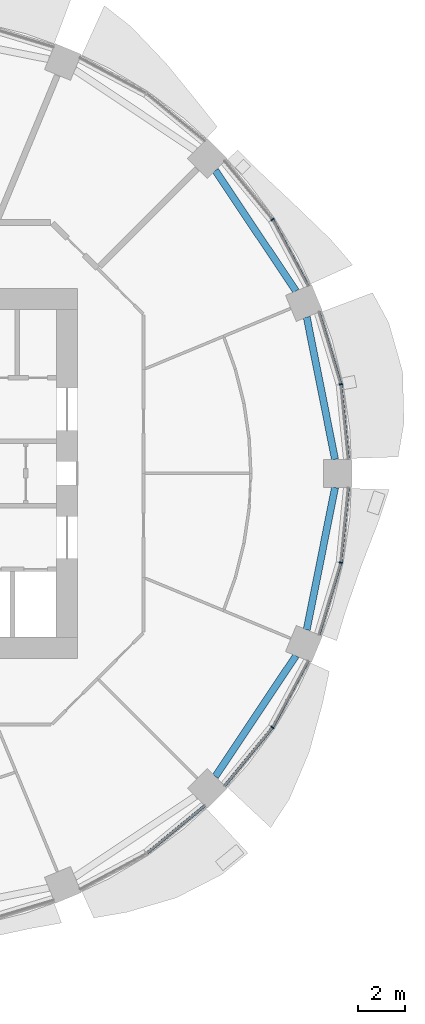
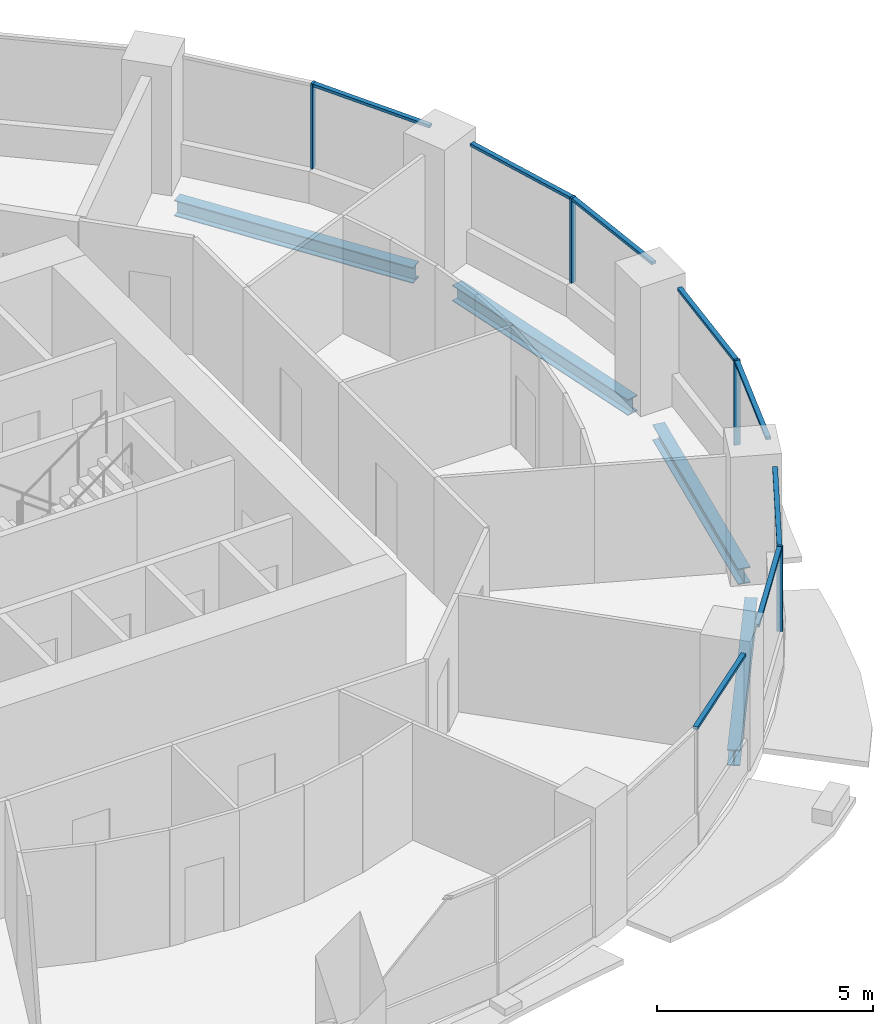
# One storey, part 5 of 15: 12 members, 4 beams, 5 elements without a shape of their own.
"""IFC4 building model written with IfcOpenShell, lengths in metres."""

from ifc_helpers import new_model, si_unit, direction, frame, origin, origin_2d, place, context, subcontext, project, spatial, rectangle, i_section, extrude, material, material_profile, profile_set, type_object, element, aggregate, save


model = new_model("IFC4")

# Units and contexts
model_context = context("Model", 3, precision=1e-05, world=origin(), true_north=direction((0.0, 1.0)))
body_context = subcontext(model_context, "Body", "Model", "MODEL_VIEW")
ifc_project = project(units=[si_unit("LENGTHUNIT", "METRE"), si_unit("AREAUNIT", "SQUARE_METRE"), si_unit("VOLUMEUNIT", "CUBIC_METRE"), si_unit("PLANEANGLEUNIT", "RADIAN"), si_unit("MASSUNIT", "GRAM", prefix="KILO")], contexts=[model_context])

# Site, building, storey
site_placement = place(None, origin())
site = spatial("IfcSite", under=ifc_project, at=site_placement, CompositionType="ELEMENT")
building_placement = place(site_placement, origin())
building = spatial("IfcBuilding", under=site, at=building_placement, Name="Polderwave Tower", CompositionType="ELEMENT")
storey_placement = place(building_placement, frame((0.0, 0.0, 59.050048828125)))
storey = spatial("IfcBuildingStorey", under=building, at=storey_placement, Name="L15", CompositionType="ELEMENT", Elevation=59.050048828125)

# Curtain wall, member
ifc_material_1 = material(Name="Aluminium 6063-T6 and glass", Category="aluminium")
curtain_wall_type = type_object("IfcCurtainWallType", Name="Growing floor ribbon glazing wall", PredefinedType="NOTDEFINED", material=ifc_material_1)
curtain_wall_1_placement = place(storey_placement, origin())
curtain_wall_1 = element("IfcCurtainWall", 1, at=curtain_wall_1_placement, inside=storey, type_object=curtain_wall_type, Name="CW2 L15 00", PredefinedType="NOTDEFINED")
ifc_material_2 = material(Name="Aluminium 6063-T6", Category="aluminium")
ifc_material_profile_1 = material_profile(ifc_material_2, rectangle(XDim=0.14990234375, YDim=0.06005859375, at=origin_2d()), Name="AL 60x150")
ifc_profile_set_1 = profile_set([ifc_material_profile_1], Name="Aluminium 6063-T6")
member_type_1 = type_object("IfcMemberType", Name="Growing floor ribbon glazing mullion 60x150", PredefinedType="MULLION", material=ifc_profile_set_1)
member_1_placement = place(storey_placement, frame((19.06591796875, 3.79296875, 0.89990234375), z_axis=(0.0, 0.0, 1.0), x_axis=(-0.980768933113, -0.195172487407, 0.0)))
member_1 = element("IfcMember", 2, at=member_1_placement, type_object=member_type_1, Name="CW2 mullion 1", PredefinedType="MULLION", context=body_context, shape_type="SweptSolid", body=[
    extrude(rectangle(XDim=0.14990234375, YDim=0.06005859375, at=origin_2d()), origin(), (0.0, 0.0, 1.0), 2.400146484375),
])

curtain_wall_2_placement = place(storey_placement, origin())
curtain_wall_2 = element("IfcCurtainWall", 3, at=curtain_wall_2_placement, inside=storey, type_object=curtain_wall_type, Name="CW2 L15 01", PredefinedType="NOTDEFINED")
member_2_placement = place(storey_placement, frame((16.1640625, 10.800048828125, 0.89990234375), z_axis=(0.0, 0.0, 1.0), x_axis=(-0.831498700752, -0.555526696611, 0.0)))
member_2 = element("IfcMember", 4, at=member_2_placement, type_object=member_type_1, Name="CW2 mullion 1", PredefinedType="MULLION", context=body_context, shape_type="SweptSolid", body=[
    extrude(rectangle(XDim=0.14990234375, YDim=0.06005859375, at=origin_2d()), origin(), (0.0, 0.0, 1.0), 2.400146484375),
])

curtain_wall_3_placement = place(storey_placement, origin())
curtain_wall_3 = element("IfcCurtainWall", 5, at=curtain_wall_3_placement, inside=storey, type_object=curtain_wall_type, Name="CW2 L15 14", PredefinedType="NOTDEFINED")
member_3_placement = place(storey_placement, frame((16.1640625, -10.800048828125, 0.89990234375), z_axis=(0.0, 0.0, 1.0), x_axis=(-0.831498700752, 0.555526696611, 0.0)))
member_3 = element("IfcMember", 6, at=member_3_placement, type_object=member_type_1, Name="CW2 mullion 1", PredefinedType="MULLION", context=body_context, shape_type="SweptSolid", body=[
    extrude(rectangle(XDim=0.14990234375, YDim=0.06005859375, at=origin_2d()), origin(), (0.0, 0.0, 1.0), 2.400146484375),
])

curtain_wall_4_placement = place(storey_placement, origin())
curtain_wall_4 = element("IfcCurtainWall", 7, at=curtain_wall_4_placement, inside=storey, type_object=curtain_wall_type, Name="CW2 L15 15", PredefinedType="NOTDEFINED")
member_4_placement = place(storey_placement, frame((19.06591796875, -3.79296875, 0.89990234375), z_axis=(0.0, 0.0, 1.0), x_axis=(-0.980768933113, 0.195172487407, 0.0)))
member_4 = element("IfcMember", 8, at=member_4_placement, type_object=member_type_1, Name="CW2 mullion 1", PredefinedType="MULLION", context=body_context, shape_type="SweptSolid", body=[
    extrude(rectangle(XDim=0.14990234375, YDim=0.06005859375, at=origin_2d()), origin(), (0.0, 0.0, 1.0), 2.400146484375),
])

# Member
ifc_material_profile_2 = material_profile(ifc_material_2, rectangle(XDim=0.1201171875, YDim=0.080078125, at=origin_2d()), Name="AL 80x120")
ifc_profile_set_2 = profile_set([ifc_material_profile_2], Name="Aluminium 6063-T6")
member_type_2 = type_object("IfcMemberType", Name="Growing floor ribbon glazing transom 80x120", PredefinedType="USERDEFINED", material=ifc_profile_set_2)
member_5_placement = place(storey_placement, frame((19.381103515625, 0.60009765625, 3.260009765625), z_axis=(-0.098241201585, 0.995162633096, 0.0), x_axis=(-0.995162633096, -0.098241201585, 0.0)))
member_5 = element("IfcMember", 9, at=member_5_placement, type_object=member_type_2, Name="CW2 transom 1", ObjectType="TRANSOM", PredefinedType="USERDEFINED", context=body_context, shape_type="SweptSolid", body=[
    extrude(rectangle(XDim=0.1201171875, YDim=0.080078125, at=origin_2d()), origin(), (0.0, 0.0, 1.0), 3.178466796875),
])

member_6_placement = place(storey_placement, frame((19.057373046875, 3.82177734375, 3.260009765625), z_axis=(-0.290314495574, 0.956931289937, 0.0), x_axis=(-0.956931289937, -0.290314495574, 0.0)))
member_6 = element("IfcMember", 10, at=member_6_placement, type_object=member_type_2, Name="CW2 transom 2", ObjectType="TRANSOM", PredefinedType="USERDEFINED", context=body_context, shape_type="SweptSolid", body=[
    extrude(rectangle(XDim=0.1201171875, YDim=0.080078125, at=origin_2d()), origin(), (0.0, 0.0, 1.0), 3.177001953125),
])

aggregate(curtain_wall_1, [member_1, member_5, member_6])

member_7_placement = place(storey_placement, frame((17.676025390625, 7.970947265625, 3.260009765625), z_axis=(-0.471417452258, 0.881910191406, 0.0), x_axis=(-0.881910191406, -0.471417452258, 0.0)))
member_7 = element("IfcMember", 11, at=member_7_placement, type_object=member_type_2, Name="CW2 transom 1", ObjectType="TRANSOM", PredefinedType="USERDEFINED", context=body_context, shape_type="SweptSolid", body=[
    extrude(rectangle(XDim=0.1201171875, YDim=0.080078125, at=origin_2d()), origin(), (0.0, 0.0, 1.0), 3.177734375),
])

aggregate(curtain_wall_2, [member_2, member_7])

# Curtain wall, member
curtain_wall_5_placement = place(storey_placement, origin())
curtain_wall_5 = element("IfcCurtainWall", 12, at=curtain_wall_5_placement, inside=storey, type_object=curtain_wall_type, Name="CW2 L15 13", PredefinedType="NOTDEFINED")
member_8_placement = place(storey_placement, frame((10.8232421875, -16.14501953125, 3.260009765625), z_axis=(0.77302893736, 0.634370760679, 0.0), x_axis=(-0.634370760679, 0.77302893736, 0.0)))
member_8 = element("IfcMember", 13, at=member_8_placement, type_object=member_type_2, Name="CW2 transom 2", ObjectType="TRANSOM", PredefinedType="USERDEFINED", context=body_context, shape_type="SweptSolid", body=[
    extrude(rectangle(XDim=0.1201171875, YDim=0.080078125, at=origin_2d()), origin(), (0.0, 0.0, 1.0), 3.17822265625),
])
aggregate(curtain_wall_5, [member_8])

# Member
member_9_placement = place(storey_placement, frame((14.12890625, -13.280029296875, 3.260009765625), z_axis=(0.634370760679, 0.77302893736, 0.0), x_axis=(-0.77302893736, 0.634370760679, 0.0)))
member_9 = element("IfcMember", 14, at=member_9_placement, type_object=member_type_2, Name="CW2 transom 1", ObjectType="TRANSOM", PredefinedType="USERDEFINED", context=body_context, shape_type="SweptSolid", body=[
    extrude(rectangle(XDim=0.1201171875, YDim=0.080078125, at=origin_2d()), origin(), (0.0, 0.0, 1.0), 3.17822265625),
])

member_10_placement = place(storey_placement, frame((16.177978515625, -10.7734375, 3.260009765625), z_axis=(0.471417452258, 0.881910191406, 0.0), x_axis=(-0.881910191406, 0.471417452258, 0.0)))
member_10 = element("IfcMember", 15, at=member_10_placement, type_object=member_type_2, Name="CW2 transom 2", ObjectType="TRANSOM", PredefinedType="USERDEFINED", context=body_context, shape_type="SweptSolid", body=[
    extrude(rectangle(XDim=0.1201171875, YDim=0.080078125, at=origin_2d()), origin(), (0.0, 0.0, 1.0), 3.177734375),
])

aggregate(curtain_wall_3, [member_3, member_9, member_10])

member_11_placement = place(storey_placement, frame((18.135009765625, -6.862060546875, 3.260009765625), z_axis=(0.290314495574, 0.956931289937, 0.0), x_axis=(-0.956931289937, 0.290314495574, 0.0)))
member_11 = element("IfcMember", 16, at=member_11_placement, type_object=member_type_2, Name="CW2 transom 1", ObjectType="TRANSOM", PredefinedType="USERDEFINED", context=body_context, shape_type="SweptSolid", body=[
    extrude(rectangle(XDim=0.1201171875, YDim=0.080078125, at=origin_2d()), origin(), (0.0, 0.0, 1.0), 3.177001953125),
])

member_12_placement = place(storey_placement, frame((19.06884765625, -3.76318359375, 3.260009765625), z_axis=(0.098241201585, 0.995162633096, 0.0), x_axis=(-0.995162633096, 0.098241201585, 0.0)))
member_12 = element("IfcMember", 17, at=member_12_placement, type_object=member_type_2, Name="CW2 transom 2", ObjectType="TRANSOM", PredefinedType="USERDEFINED", context=body_context, shape_type="SweptSolid", body=[
    extrude(rectangle(XDim=0.1201171875, YDim=0.080078125, at=origin_2d()), origin(), (0.0, 0.0, 1.0), 3.178466796875),
])

aggregate(curtain_wall_4, [member_4, member_11, member_12])

# Beams
ifc_material_3 = material(Name="Steel S355", Category="steel")
ifc_material_profile_3 = material_profile(ifc_material_3, i_section(OverallWidth=0.300048828125, OverallDepth=0.449951171875, WebThickness=0.013916015625, FlangeThickness=0.02587890625, at=origin_2d()), Name="HE 450 B")
ifc_profile_set_3 = profile_set([ifc_material_profile_3], Name="Steel S355")
beam_type = type_object("IfcBeamType", Name="RING BEAM HE 450 B", PredefinedType="BEAM", material=ifc_profile_set_3)
beam_1_placement = place(storey_placement, frame((18.820556640625, 0.60009765625, -0.574951171875), z_axis=(-0.195072910533, 0.980788743602, 0.0), x_axis=(-0.980788743602, -0.195072910533, 0.0)))
element("IfcBeam", 18, at=beam_1_placement, inside=storey, type_object=beam_type, Name="ST-RB-L15-00", PredefinedType="BEAM", context=body_context, shape_type="SweptSolid", body=[
    extrude(i_section(OverallWidth=0.300048828125, OverallDepth=0.449951171875, WebThickness=0.013916015625, FlangeThickness=0.02587890625, at=origin_2d()), origin(), (0.0, 0.0, 1.0), 6.166259765625),
])
for number, where, z_axis, x_axis, name in (
    (19, (17.158447265625, 7.756591796875, -0.574951171875), (-0.555567831177, 0.831471217158, 0.0), (-0.831471217158, -0.555567831177, 0.0), "ST-RB-L15-01"),
    (20, (13.732421875, -12.884033203125, -0.574951171875), (0.555567831177, 0.831471217158, 0.0), (-0.831471217158, 0.555567831177, 0.0), "ST-RB-L15-14"),
):
    element("IfcBeam", number, at=place(storey_placement, frame(where, z_axis=z_axis, x_axis=x_axis)), inside=storey, type_object=beam_type, Name=name, PredefinedType="BEAM", context=body_context, shape_type="SweptSolid", body=[
        extrude(i_section(OverallWidth=0.300048828125, OverallDepth=0.449951171875, WebThickness=0.013916015625, FlangeThickness=0.02587890625, at=origin_2d()), origin(), (0.0, 0.0, 1.0), 6.166748046875),
    ])
beam_2_placement = place(storey_placement, frame((17.61767578125, -6.64794921875, -0.574951171875), z_axis=(0.195072910533, 0.980788743602, 0.0), x_axis=(-0.980788743602, 0.195072910533, 0.0)))
element("IfcBeam", 21, at=beam_2_placement, inside=storey, type_object=beam_type, Name="ST-RB-L15-15", PredefinedType="BEAM", context=body_context, shape_type="SweptSolid", body=[
    extrude(i_section(OverallWidth=0.300048828125, OverallDepth=0.449951171875, WebThickness=0.013916015625, FlangeThickness=0.02587890625, at=origin_2d()), origin(), (0.0, 0.0, 1.0), 6.166259765625),
])

save(model, "model.ifc")
